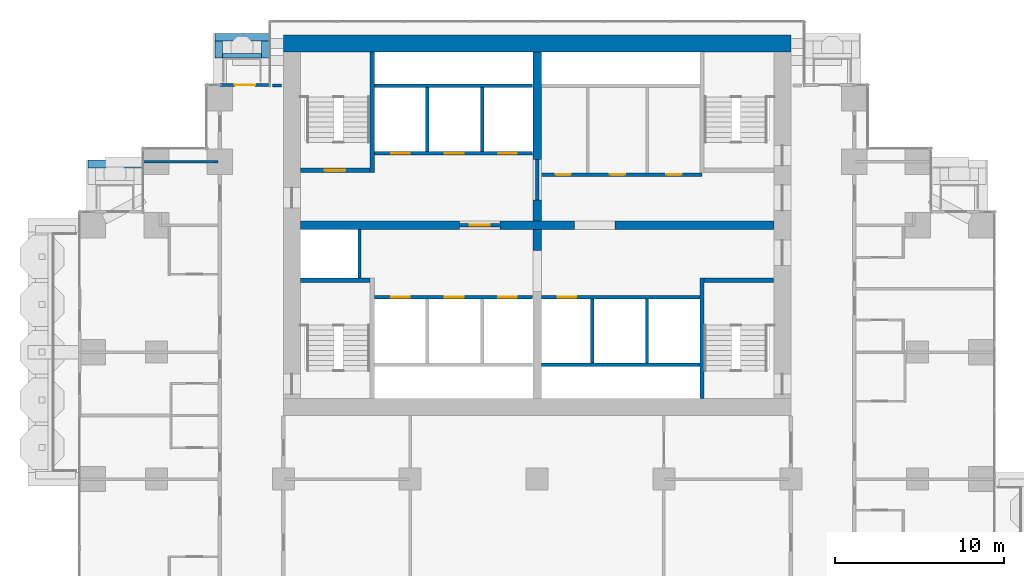
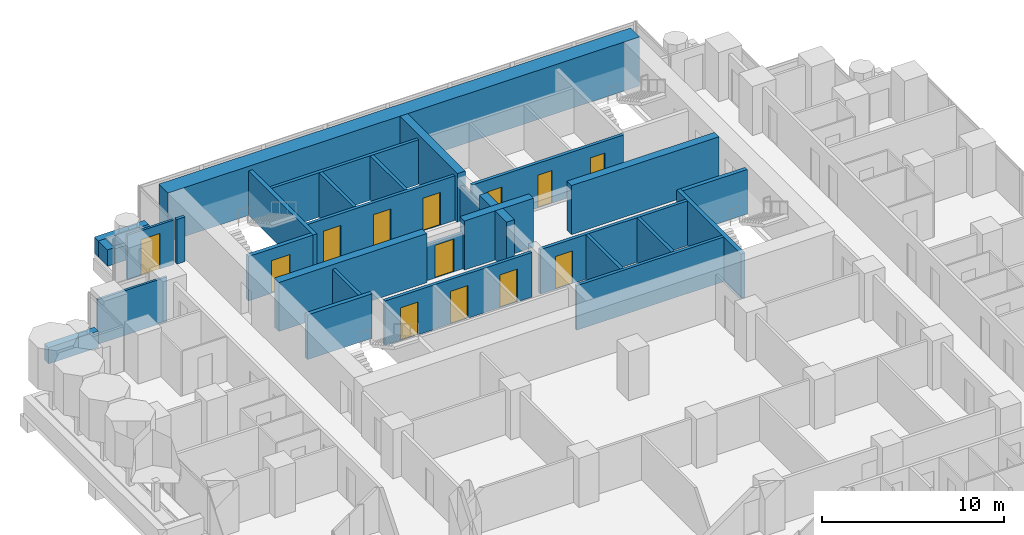
# One storey, part 14 of 19: 33 walls, 13 doors, 13 openings.
"""IFC4 building model written with IfcOpenShell, lengths in metres."""

from ifc_helpers import new_model, si_unit, direction, frame, frame_2d, origin, place, context, subcontext, project, spatial, rectangle, extrude, material, layer, layer_set, type_object, element, fill, save


model = new_model("IFC4")

# Units and contexts
model_context = context("Model", 3, precision=1e-05, world=origin(), true_north=direction((0.0, 1.0)))
body_context = subcontext(model_context, "Body", "Model", "MODEL_VIEW")
ifc_project = project(units=[si_unit("LENGTHUNIT", "METRE"), si_unit("AREAUNIT", "SQUARE_METRE"), si_unit("VOLUMEUNIT", "CUBIC_METRE"), si_unit("PLANEANGLEUNIT", "RADIAN"), si_unit("MASSUNIT", "GRAM", prefix="KILO")], contexts=[model_context])

# Site, building, storey
site_placement = place(None, origin())
site = spatial("IfcSite", under=ifc_project, at=site_placement, CompositionType="ELEMENT")
building_placement = place(site_placement, origin())
building = spatial("IfcBuilding", under=site, at=building_placement, Name="Pilkhan Gate Tower", CompositionType="ELEMENT")
storey_placement = place(building_placement, frame((0.0, 0.0, 95.60009765625)))
storey = spatial("IfcBuildingStorey", under=building, at=storey_placement, Name="L23", CompositionType="ELEMENT", Elevation=95.60009765625)

# Walls
ifc_material_1 = material(Name="Concrete C40/50", Category="concrete")
ifc_layer_1 = layer(ifc_material_1, 0.25)
ifc_layer_set_1 = layer_set([ifc_layer_1], Name="Balcony planter BP250")
wall_type_1 = type_object("IfcWallType", Name="Balcony planter BP250", PredefinedType="USERDEFINED", material=ifc_layer_set_1)
wall_1_placement = place(storey_placement, frame((56.39990234375, 92.52490234375, 0.0), z_axis=(0.0, 0.0, 1.0), x_axis=(1.0, 0.0, 0.0)))
element("IfcWall", 1, at=wall_1_placement, inside=storey, type_object=wall_type_1, Name="Balcony planter L23 N", ObjectType="BALCONY PLANTER", PredefinedType="USERDEFINED", context=body_context, shape_type="SweptSolid", body=[
    extrude(rectangle(XDim=2.300048828125, YDim=0.25, at=frame_2d((1.14990234375, 0.0))), origin(), (0.0, 0.0, 1.0), 1.0),
])
ifc_material_2 = material(Name="Board-marked Concrete C40/50", Category="concrete")
ifc_layer_2 = layer(ifc_material_2, 0.449951171875)
ifc_layer_set_2 = layer_set([ifc_layer_2], Name="Balcony planter lip BL450")
wall_type_2 = type_object("IfcWallType", Name="Balcony planter lip BL450", PredefinedType="USERDEFINED", material=ifc_layer_set_2)
wall_2_placement = place(storey_placement, frame((55.949951171875, 93.625, 0.0), z_axis=(0.0, 0.0, 1.0), x_axis=(1.0, 0.0, 0.0)))
element("IfcWall", 2, at=wall_2_placement, inside=storey, type_object=wall_type_2, Name="Balcony planter L23 N", ObjectType="BALCONY PLANTER", PredefinedType="USERDEFINED", context=body_context, shape_type="SweptSolid", body=[
    extrude(rectangle(XDim=3.199951171875, YDim=0.449951171875, at=frame_2d((1.60009765625, 0.0))), origin(), (0.0, 0.0, 1.0), 1.099853515625),
])
for number, where, z_axis, x_axis, name in (
    (3, (56.175048828125, 92.39990234375, 0.0), (0.0, 0.0, 1.0), (0.0, 1.0, 0.0), "Balcony planter L23 N"),
    (4, (58.925048828125, 92.39990234375, 0.0), (0.0, 0.0, 1.0), (0.0, 1.0, 0.0), "Balcony planter L23 N"),
):
    element("IfcWall", number, at=place(storey_placement, frame(where, z_axis=z_axis, x_axis=x_axis)), inside=storey, type_object=wall_type_2, Name=name, ObjectType="BALCONY PLANTER", PredefinedType="USERDEFINED", context=body_context, shape_type="SweptSolid", body=[
        extrude(rectangle(XDim=1.0, YDim=0.449951171875, at=frame_2d((0.5, 0.0))), origin(), (0.0, 0.0, 1.0), 1.099853515625),
    ])
wall_3_placement = place(storey_placement, frame((48.449951171875, 86.125, 0.0), z_axis=(0.0, 0.0, 1.0), x_axis=(1.0, 0.0, 0.0)))
element("IfcWall", 5, at=wall_3_placement, inside=storey, type_object=wall_type_2, Name="Balcony planter L23 N", ObjectType="BALCONY PLANTER", PredefinedType="USERDEFINED", context=body_context, shape_type="SweptSolid", body=[
    extrude(rectangle(XDim=3.179931640625, YDim=0.449951171875, at=frame_2d((1.58984375, 0.0))), origin(), (0.0, 0.0, 1.0), 1.099853515625),
])
ifc_material_3 = material(Name="Concrete C70/85", Category="concrete")
ifc_layer_3 = layer(ifc_material_3, 1.0)
ifc_layer_set_3 = layer_set([ifc_layer_3], Name="Core wall CW1000 C70/85")
wall_type_3 = type_object("IfcWallType", Name="Core wall CW1000 C70/85", PredefinedType="SHEAR", material=ifc_layer_set_3)
wall_4_placement = place(storey_placement, frame((90.0, 93.25, 0.0), z_axis=(0.0, 0.0, 1.0), x_axis=(-1.0, 0.0, 0.0)))
element("IfcWall", 6, at=wall_4_placement, inside=storey, type_object=wall_type_3, Name="Core wall N L23", PredefinedType="SHEAR", context=body_context, shape_type="SweptSolid", body=[
    extrude(rectangle(XDim=30.0, YDim=1.0, at=frame_2d((15.0, 0.0))), origin(), (0.0, 0.0, 1.0), 3.2998046875),
])
ifc_material_4 = material(Name="Dense blockwork", Category="masonry")
ifc_layer_4 = layer(ifc_material_4, 0.199951171875)
ifc_layer_set_4 = layer_set([ifc_layer_4], Name="Corridor wall FW200")
wall_type_4 = type_object("IfcWallType", Name="Corridor wall FW200", PredefinedType="PARTITIONING", material=ifc_layer_set_4)
wall_5_placement = place(storey_placement, frame((59.35498046875, 90.764892578125, 0.0), z_axis=(0.0, 0.0, 1.0), x_axis=(1.0, 0.0, 0.0)))
element("IfcWall", 7, at=wall_5_placement, inside=storey, type_object=wall_type_4, Name="Partition L23", PredefinedType="PARTITIONING", context=body_context, shape_type="SweptSolid", body=[
    extrude(rectangle(XDim=0.52490234375, YDim=0.199951171875, at=frame_2d((0.262451171875, 0.0))), origin(), (0.0, 0.0, 1.0), 3.0),
])

# Wall, opening, door
ifc_material_5 = material(Name="Pale anodised aluminium, clear laminated glazing", Category="aluminium")
ifc_layer_5 = layer(ifc_material_5, 0.14990234375)
ifc_layer_set_5 = layer_set([ifc_layer_5], Name="Facade infill wall IW150")
wall_type_5 = type_object("IfcWallType", Name="Facade infill wall IW150", PredefinedType="SOLIDWALL", material=ifc_layer_set_5)
wall_6_placement = place(storey_placement, frame((56.25, 90.794921875, 0.0), z_axis=(0.0, 0.0, 1.0), x_axis=(1.0, 0.0, 0.0)))
wall_6 = element("IfcWall", 8, at=wall_6_placement, inside=storey, type_object=wall_type_5, Name="Infill wall L23 N", PredefinedType="SOLIDWALL", context=body_context, shape_type="SweptSolid", body=[
    extrude(rectangle(XDim=2.955078125, YDim=0.14990234375, at=frame_2d((1.4775390625, 0.0))), origin(), (0.0, 0.0, 1.0), 3.0),
])
opening_1_placement = place(wall_6_placement, frame((0.87744140625, 0.0, 0.0)))
opening_1 = element("IfcOpeningElement", 9, at=opening_1_placement, cuts=wall_6, Name="Opening D1", PredefinedType="OPENING", context=body_context, shape_type="SweptSolid", body=[
    extrude(rectangle(XDim=1.199951171875, YDim=2.39990234375, at=frame_2d((0.60009765625, 1.199951171875))), frame((0.0, 0.0849609375, 0.0), z_axis=(0.0, -1.0, 0.0), x_axis=(1.0, 0.0, 0.0)), (0.0, 0.0, 1.0), 0.169921875),
])
ifc_material_6 = material(Name="Pale anodised aluminium, clear glazing", Category="aluminium")
door_type_1 = type_object("IfcDoorType", Name="Balcony door D1 1200x2400", OperationType="SINGLE_SWING_LEFT", PredefinedType="DOOR", material=ifc_material_6)
door_1_placement = place(opening_1_placement, origin())
door_1 = element("IfcDoor", 10, at=door_1_placement, inside=storey, type_object=door_type_1, Name="Balcony door L23", OperationType="SINGLE_SWING_LEFT", OverallHeight=2.39990234375, OverallWidth=1.199951171875, PredefinedType="DOOR", context=body_context, shape_type="SweptSolid", body=[
    extrude(rectangle(XDim=1.199951171875, YDim=2.39990234375, at=frame_2d((0.60009765625, 1.199951171875))), frame((0.0, 0.02490234375, 0.0), z_axis=(0.0, -1.0, 0.0), x_axis=(1.0, 0.0, 0.0)), (0.0, 0.0, 1.0), 0.050048828125),
])
fill(opening_1, door_1)

ifc_layer_6 = layer(ifc_material_4, 0.199951171875)
ifc_layer_set_6 = layer_set([ifc_layer_6], Name="Lobby wall LW200")
wall_type_6 = type_object("IfcWallType", Name="Lobby wall LW200", PredefinedType="PARTITIONING", material=ifc_layer_set_6)
wall_7_placement = place(storey_placement, frame((70.409912109375, 82.5, 0.0), z_axis=(0.0, 0.0, 1.0), x_axis=(1.0, 0.0, 0.0)))
wall_7 = element("IfcWall", 11, at=wall_7_placement, inside=storey, type_object=wall_type_6, Name="Partition L23", PredefinedType="PARTITIONING", context=body_context, shape_type="SweptSolid", body=[
    extrude(rectangle(XDim=2.380126953125, YDim=0.199951171875, at=frame_2d((1.18994140625, 0.0))), origin(), (0.0, 0.0, 1.0), 2.39990234375),
])
opening_2_placement = place(wall_7_placement, frame((0.60009765625, 0.0, 0.0)))
opening_2 = element("IfcOpeningElement", 12, at=opening_2_placement, cuts=wall_7, Name="Opening L23-01", PredefinedType="OPENING", context=body_context, shape_type="SweptSolid", body=[
    extrude(rectangle(XDim=1.199951171875, YDim=2.199951171875, at=frame_2d((0.60009765625, 1.10009765625))), frame((0.0, 0.10986328125, 0.0), z_axis=(0.0, -1.0, 0.0), x_axis=(1.0, 0.0, 0.0)), (0.0, 0.0, 1.0), 0.219970703125),
])
ifc_material_7 = material(Name="Steel door, 120 minute fire resisting, self-closing", Category="steel")
door_type_2 = type_object("IfcDoorType", Name="Firefighting lobby door D10 1200x2200", OperationType="SINGLE_SWING_LEFT", PredefinedType="DOOR", material=ifc_material_7)
door_2_placement = place(opening_2_placement, origin())
door_2 = element("IfcDoor", 13, at=door_2_placement, inside=storey, type_object=door_type_2, Name="Firefighting lobby door", OperationType="SINGLE_SWING_LEFT", OverallHeight=2.199951171875, OverallWidth=1.199951171875, PredefinedType="DOOR", context=body_context, shape_type="SweptSolid", body=[
    extrude(rectangle(XDim=1.199951171875, YDim=2.199951171875, at=frame_2d((0.60009765625, 1.10009765625))), frame((0.0, 0.02490234375, 0.0), z_axis=(0.0, -1.0, 0.0), x_axis=(1.0, 0.0, 0.0)), (0.0, 0.0, 1.0), 0.050048828125),
])
fill(opening_2, door_2)

# Wall, openings, doors
wall_8_placement = place(storey_placement, frame((75.10009765625, 85.5, 0.0), z_axis=(0.0, 0.0, 1.0), x_axis=(1.0, 0.0, 0.0)))
wall_8 = element("IfcWall", 14, at=wall_8_placement, inside=storey, type_object=wall_type_6, Name="Partition L23", PredefinedType="PARTITIONING", context=body_context, shape_type="SweptSolid", body=[
    extrude(rectangle(XDim=9.64990234375, YDim=0.199951171875, at=frame_2d((4.824951171875, 0.0))), origin(), (0.0, 0.0, 1.0), 3.0),
])
opening_3_placement = place(wall_8_placement, frame((1.0, 0.0, 0.0)))
opening_3 = element("IfcOpeningElement", 15, at=opening_3_placement, cuts=wall_8, Name="Opening L23-53", PredefinedType="OPENING", context=body_context, shape_type="SweptSolid", body=[
    extrude(rectangle(XDim=0.89990234375, YDim=2.199951171875, at=frame_2d((0.449951171875, 1.10009765625))), frame((0.0, 0.10986328125, 0.0), z_axis=(0.0, -1.0, 0.0), x_axis=(1.0, 0.0, 0.0)), (0.0, 0.0, 1.0), 0.219970703125),
])
opening_4_placement = place(wall_8_placement, frame((4.199951171875, 0.0, 0.0)))
opening_4 = element("IfcOpeningElement", 16, at=opening_4_placement, cuts=wall_8, Name="Opening L23-54", PredefinedType="OPENING", context=body_context, shape_type="SweptSolid", body=[
    extrude(rectangle(XDim=0.89990234375, YDim=2.199951171875, at=frame_2d((0.449951171875, 1.10009765625))), frame((0.0, 0.10986328125, 0.0), z_axis=(0.0, -1.0, 0.0), x_axis=(1.0, 0.0, 0.0)), (0.0, 0.0, 1.0), 0.219970703125),
])
opening_5_placement = place(wall_8_placement, frame((7.550048828125, 0.0, 0.0)))
opening_5 = element("IfcOpeningElement", 17, at=opening_5_placement, cuts=wall_8, Name="Opening L23-55", PredefinedType="OPENING", context=body_context, shape_type="SweptSolid", body=[
    extrude(rectangle(XDim=0.89990234375, YDim=2.199951171875, at=frame_2d((0.449951171875, 1.10009765625))), frame((0.0, 0.10986328125, 0.0), z_axis=(0.0, -1.0, 0.0), x_axis=(1.0, 0.0, 0.0)), (0.0, 0.0, 1.0), 0.219970703125),
])
ifc_material_8 = material(Name="Timber flush door, 60 minute fire resisting, self-closing", Category="wood")
door_type_3 = type_object("IfcDoorType", Name="Store door D05 900x2200", OperationType="SINGLE_SWING_LEFT", PredefinedType="DOOR", material=ifc_material_8)
door_3_placement = place(opening_4_placement, origin())
door_3 = element("IfcDoor", 18, at=door_3_placement, inside=storey, type_object=door_type_3, Name="Store door", OperationType="SINGLE_SWING_RIGHT", OverallHeight=2.199951171875, OverallWidth=0.89990234375, PredefinedType="DOOR", context=body_context, shape_type="SweptSolid", body=[
    extrude(rectangle(XDim=0.89990234375, YDim=2.199951171875, at=frame_2d((0.449951171875, 1.10009765625))), frame((0.0, 0.02490234375, 0.0), z_axis=(0.0, -1.0, 0.0), x_axis=(1.0, 0.0, 0.0)), (0.0, 0.0, 1.0), 0.050048828125),
])
fill(opening_4, door_3)
door_4_placement = place(opening_5_placement, origin())
door_4 = element("IfcDoor", 19, at=door_4_placement, inside=storey, type_object=door_type_3, Name="Store door", OperationType="SINGLE_SWING_LEFT", OverallHeight=2.199951171875, OverallWidth=0.89990234375, PredefinedType="DOOR", context=body_context, shape_type="SweptSolid", body=[
    extrude(rectangle(XDim=0.89990234375, YDim=2.199951171875, at=frame_2d((0.449951171875, 1.10009765625))), frame((0.0, 0.02490234375, 0.0), z_axis=(0.0, -1.0, 0.0), x_axis=(1.0, 0.0, 0.0)), (0.0, 0.0, 1.0), 0.050048828125),
])
fill(opening_5, door_4)
ifc_material_9 = material(Name="Timber flush door, 30 minute fire resisting", Category="wood")
door_type_4 = type_object("IfcDoorType", Name="Toilet door D06 900x2200", OperationType="SINGLE_SWING_LEFT", PredefinedType="DOOR", material=ifc_material_9)
door_5_placement = place(opening_3_placement, origin())
door_5 = element("IfcDoor", 20, at=door_5_placement, inside=storey, type_object=door_type_4, Name="Toilet door", OperationType="SINGLE_SWING_LEFT", OverallHeight=2.199951171875, OverallWidth=0.89990234375, PredefinedType="DOOR", context=body_context, shape_type="SweptSolid", body=[
    extrude(rectangle(XDim=0.89990234375, YDim=2.199951171875, at=frame_2d((0.449951171875, 1.10009765625))), frame((0.0, 0.02490234375, 0.0), z_axis=(0.0, -1.0, 0.0), x_axis=(1.0, 0.0, 0.0)), (0.0, 0.0, 1.0), 0.050048828125),
])
fill(opening_3, door_5)

# Walls
wall_9_placement = place(storey_placement, frame((75.0, 84.010009765625, 0.0), z_axis=(0.0, 0.0, 1.0), x_axis=(0.0, 1.0, 0.0)))
element("IfcWall", 21, at=wall_9_placement, inside=storey, type_object=wall_type_6, Name="Partition L23", PredefinedType="PARTITIONING", context=body_context, shape_type="SweptSolid", body=[
    extrude(rectangle(XDim=2.3798828125, YDim=0.199951171875, at=frame_2d((1.18994140625, 0.0))), origin(), (0.0, 0.0, 1.0), 2.39990234375),
])
ifc_material_10 = material(Name="Blockwork partition, plastered both sides", Category="masonry")
ifc_layer_7 = layer(ifc_material_10, 0.14990234375)
ifc_layer_set_7 = layer_set([ifc_layer_7], Name="Partition PW150")
wall_type_7 = type_object("IfcWallType", Name="Partition PW150", PredefinedType="PARTITIONING", material=ifc_layer_set_7)
wall_10_placement = place(storey_placement, frame((51.735107421875, 86.25, 0.0), z_axis=(0.0, 0.0, 1.0), x_axis=(1.0, 0.0, 0.0)))
element("IfcWall", 22, at=wall_10_placement, inside=storey, type_object=wall_type_7, Name="Partition L23", PredefinedType="PARTITIONING", context=body_context, shape_type="SweptSolid", body=[
    extrude(rectangle(XDim=4.414794921875, YDim=0.14990234375, at=frame_2d((2.20751953125, 0.0))), origin(), (0.0, 0.0, 1.0), 3.0),
])
ifc_material_11 = material(Name="Reinforced blockwork shaft wall, 120 minute fire resisting", Category="masonry")
ifc_layer_8 = layer(ifc_material_11, 0.199951171875)
ifc_layer_set_8 = layer_set([ifc_layer_8], Name="Shaft wall SW200")
wall_type_8 = type_object("IfcWallType", Name="Shaft wall SW200", PredefinedType="PARTITIONING", material=ifc_layer_set_8)
wall_11_placement = place(storey_placement, frame((75.260009765625, 74.25, 0.0), z_axis=(0.0, 0.0, 1.0), x_axis=(1.0, 0.0, 0.0)))
element("IfcWall", 23, at=wall_11_placement, inside=storey, type_object=wall_type_8, Name="Partition L23", PredefinedType="PARTITIONING", context=body_context, shape_type="SweptSolid", body=[
    extrude(rectangle(XDim=9.364990234375, YDim=0.199951171875, at=frame_2d((4.6826171875, 0.0))), origin(), (0.0, 0.0, 1.0), 3.0),
])

# Wall, openings, doors
wall_12_placement = place(storey_placement, frame((65.375, 78.25, 0.0), z_axis=(0.0, 0.0, 1.0), x_axis=(1.0, 0.0, 0.0)))
wall_12 = element("IfcWall", 24, at=wall_12_placement, inside=storey, type_object=wall_type_8, Name="Partition L23", PredefinedType="PARTITIONING", context=body_context, shape_type="SweptSolid", body=[
    extrude(rectangle(XDim=9.364990234375, YDim=0.199951171875, at=frame_2d((4.6826171875, 0.0))), origin(), (0.0, 0.0, 1.0), 3.0),
])
opening_6_placement = place(wall_12_placement, frame((1.0, 0.0, 0.0)))
opening_6 = element("IfcOpeningElement", 25, at=opening_6_placement, cuts=wall_12, Name="Opening LD", PredefinedType="OPENING", context=body_context, shape_type="SweptSolid", body=[
    extrude(rectangle(XDim=1.10009765625, YDim=2.199951171875, at=frame_2d((0.550048828125, 1.10009765625))), frame((0.0, 0.10986328125, 0.0), z_axis=(0.0, -1.0, 0.0), x_axis=(1.0, 0.0, 0.0)), (0.0, 0.0, 1.0), 0.219970703125),
])
opening_7_placement = place(wall_12_placement, frame((4.175048828125, 0.0, 0.0)))
opening_7 = element("IfcOpeningElement", 26, at=opening_7_placement, cuts=wall_12, Name="Opening LD", PredefinedType="OPENING", context=body_context, shape_type="SweptSolid", body=[
    extrude(rectangle(XDim=1.10009765625, YDim=2.199951171875, at=frame_2d((0.550048828125, 1.10009765625))), frame((0.0, 0.10986328125, 0.0), z_axis=(0.0, -1.0, 0.0), x_axis=(1.0, 0.0, 0.0)), (0.0, 0.0, 1.0), 0.219970703125),
])
opening_8_placement = place(wall_12_placement, frame((7.324951171875, 0.0, 0.0)))
opening_8 = element("IfcOpeningElement", 27, at=opening_8_placement, cuts=wall_12, Name="Opening LD", PredefinedType="OPENING", context=body_context, shape_type="SweptSolid", body=[
    extrude(rectangle(XDim=1.10009765625, YDim=2.199951171875, at=frame_2d((0.550048828125, 1.10009765625))), frame((0.0, 0.10986328125, 0.0), z_axis=(0.0, -1.0, 0.0), x_axis=(1.0, 0.0, 0.0)), (0.0, 0.0, 1.0), 0.219970703125),
])
ifc_material_12 = material(Name="Stainless steel centre-opening landing door, 120 minute fire resisting", Category="steel")
door_type_5 = type_object("IfcDoorType", Name="Lift landing door LD 1100x2200", OperationType="DOUBLE_DOOR_SLIDING", PredefinedType="DOOR", material=ifc_material_12)
door_6_placement = place(opening_6_placement, origin())
door_6 = element("IfcDoor", 28, at=door_6_placement, inside=storey, type_object=door_type_5, Name="Landing door LR1", OperationType="DOUBLE_DOOR_SLIDING", OverallHeight=2.199951171875, OverallWidth=1.10009765625, PredefinedType="DOOR", context=body_context, shape_type="SweptSolid", body=[
    extrude(rectangle(XDim=1.10009765625, YDim=2.199951171875, at=frame_2d((0.550048828125, 1.10009765625))), frame((0.0, 0.02490234375, 0.0), z_axis=(0.0, -1.0, 0.0), x_axis=(1.0, 0.0, 0.0)), (0.0, 0.0, 1.0), 0.050048828125),
])
fill(opening_6, door_6)
door_7_placement = place(opening_7_placement, origin())
door_7 = element("IfcDoor", 29, at=door_7_placement, inside=storey, type_object=door_type_5, Name="Landing door LR2", OperationType="DOUBLE_DOOR_SLIDING", OverallHeight=2.199951171875, OverallWidth=1.10009765625, PredefinedType="DOOR", context=body_context, shape_type="SweptSolid", body=[
    extrude(rectangle(XDim=1.10009765625, YDim=2.199951171875, at=frame_2d((0.550048828125, 1.10009765625))), frame((0.0, 0.02490234375, 0.0), z_axis=(0.0, -1.0, 0.0), x_axis=(1.0, 0.0, 0.0)), (0.0, 0.0, 1.0), 0.050048828125),
])
fill(opening_7, door_7)
door_8_placement = place(opening_8_placement, origin())
door_8 = element("IfcDoor", 30, at=door_8_placement, inside=storey, type_object=door_type_5, Name="Landing door LR3", OperationType="DOUBLE_DOOR_SLIDING", OverallHeight=2.199951171875, OverallWidth=1.10009765625, PredefinedType="DOOR", context=body_context, shape_type="SweptSolid", body=[
    extrude(rectangle(XDim=1.10009765625, YDim=2.199951171875, at=frame_2d((0.550048828125, 1.10009765625))), frame((0.0, 0.02490234375, 0.0), z_axis=(0.0, -1.0, 0.0), x_axis=(1.0, 0.0, 0.0)), (0.0, 0.0, 1.0), 0.050048828125),
])
fill(opening_8, door_8)

# Wall, opening, door
wall_13_placement = place(storey_placement, frame((75.260009765625, 78.25, 0.0), z_axis=(0.0, 0.0, 1.0), x_axis=(1.0, 0.0, 0.0)))
wall_13 = element("IfcWall", 31, at=wall_13_placement, inside=storey, type_object=wall_type_8, Name="Partition L23", PredefinedType="PARTITIONING", context=body_context, shape_type="SweptSolid", body=[
    extrude(rectangle(XDim=9.364990234375, YDim=0.199951171875, at=frame_2d((4.6826171875, 0.0))), origin(), (0.0, 0.0, 1.0), 3.0),
])
opening_9_placement = place(wall_13_placement, frame((0.949951171875, 0.0, 0.0)))
opening_9 = element("IfcOpeningElement", 32, at=opening_9_placement, cuts=wall_13, Name="Opening LD", PredefinedType="OPENING", context=body_context, shape_type="SweptSolid", body=[
    extrude(rectangle(XDim=1.10009765625, YDim=2.199951171875, at=frame_2d((0.550048828125, 1.10009765625))), frame((0.0, 0.10986328125, 0.0), z_axis=(0.0, -1.0, 0.0), x_axis=(1.0, 0.0, 0.0)), (0.0, 0.0, 1.0), 0.219970703125),
])
door_9_placement = place(opening_9_placement, origin())
door_9 = element("IfcDoor", 33, at=door_9_placement, inside=storey, type_object=door_type_5, Name="Landing door LR4", OperationType="DOUBLE_DOOR_SLIDING", OverallHeight=2.199951171875, OverallWidth=1.10009765625, PredefinedType="DOOR", context=body_context, shape_type="SweptSolid", body=[
    extrude(rectangle(XDim=1.10009765625, YDim=2.199951171875, at=frame_2d((0.550048828125, 1.10009765625))), frame((0.0, 0.02490234375, 0.0), z_axis=(0.0, -1.0, 0.0), x_axis=(1.0, 0.0, 0.0)), (0.0, 0.0, 1.0), 0.050048828125),
])
fill(opening_9, door_9)

# Wall, openings, doors
wall_14_placement = place(storey_placement, frame((65.375, 86.75, 0.0), z_axis=(0.0, 0.0, 1.0), x_axis=(1.0, 0.0, 0.0)))
wall_14 = element("IfcWall", 34, at=wall_14_placement, inside=storey, type_object=wall_type_8, Name="Partition L23", PredefinedType="PARTITIONING", context=body_context, shape_type="SweptSolid", body=[
    extrude(rectangle(XDim=9.364990234375, YDim=0.199951171875, at=frame_2d((4.6826171875, 0.0))), origin(), (0.0, 0.0, 1.0), 3.0),
])
opening_10_placement = place(wall_14_placement, frame((1.0, 0.0, 0.0)))
opening_10 = element("IfcOpeningElement", 35, at=opening_10_placement, cuts=wall_14, Name="Opening LD", PredefinedType="OPENING", context=body_context, shape_type="SweptSolid", body=[
    extrude(rectangle(XDim=1.10009765625, YDim=2.199951171875, at=frame_2d((0.550048828125, 1.10009765625))), frame((0.0, 0.10986328125, 0.0), z_axis=(0.0, -1.0, 0.0), x_axis=(1.0, 0.0, 0.0)), (0.0, 0.0, 1.0), 0.219970703125),
])
opening_11_placement = place(wall_14_placement, frame((4.175048828125, 0.0, 0.0)))
opening_11 = element("IfcOpeningElement", 36, at=opening_11_placement, cuts=wall_14, Name="Opening LD", PredefinedType="OPENING", context=body_context, shape_type="SweptSolid", body=[
    extrude(rectangle(XDim=1.10009765625, YDim=2.199951171875, at=frame_2d((0.550048828125, 1.10009765625))), frame((0.0, 0.10986328125, 0.0), z_axis=(0.0, -1.0, 0.0), x_axis=(1.0, 0.0, 0.0)), (0.0, 0.0, 1.0), 0.219970703125),
])
opening_12_placement = place(wall_14_placement, frame((7.324951171875, 0.0, 0.0)))
opening_12 = element("IfcOpeningElement", 37, at=opening_12_placement, cuts=wall_14, Name="Opening LD", PredefinedType="OPENING", context=body_context, shape_type="SweptSolid", body=[
    extrude(rectangle(XDim=1.10009765625, YDim=2.199951171875, at=frame_2d((0.550048828125, 1.10009765625))), frame((0.0, 0.10986328125, 0.0), z_axis=(0.0, -1.0, 0.0), x_axis=(1.0, 0.0, 0.0)), (0.0, 0.0, 1.0), 0.219970703125),
])
door_10_placement = place(opening_10_placement, origin())
door_10 = element("IfcDoor", 38, at=door_10_placement, inside=storey, type_object=door_type_5, Name="Landing door FF1", OperationType="DOUBLE_DOOR_SLIDING", OverallHeight=2.199951171875, OverallWidth=1.10009765625, PredefinedType="DOOR", context=body_context, shape_type="SweptSolid", body=[
    extrude(rectangle(XDim=1.10009765625, YDim=2.199951171875, at=frame_2d((0.550048828125, 1.10009765625))), frame((0.0, 0.02490234375, 0.0), z_axis=(0.0, -1.0, 0.0), x_axis=(1.0, 0.0, 0.0)), (0.0, 0.0, 1.0), 0.050048828125),
])
fill(opening_10, door_10)
door_11_placement = place(opening_11_placement, origin())
door_11 = element("IfcDoor", 39, at=door_11_placement, inside=storey, type_object=door_type_5, Name="Landing door FF2", OperationType="DOUBLE_DOOR_SLIDING", OverallHeight=2.199951171875, OverallWidth=1.10009765625, PredefinedType="DOOR", context=body_context, shape_type="SweptSolid", body=[
    extrude(rectangle(XDim=1.10009765625, YDim=2.199951171875, at=frame_2d((0.550048828125, 1.10009765625))), frame((0.0, 0.02490234375, 0.0), z_axis=(0.0, -1.0, 0.0), x_axis=(1.0, 0.0, 0.0)), (0.0, 0.0, 1.0), 0.050048828125),
])
fill(opening_11, door_11)
door_12_placement = place(opening_12_placement, origin())
door_12 = element("IfcDoor", 40, at=door_12_placement, inside=storey, type_object=door_type_5, Name="Landing door SV1", OperationType="DOUBLE_DOOR_SLIDING", OverallHeight=2.199951171875, OverallWidth=1.10009765625, PredefinedType="DOOR", context=body_context, shape_type="SweptSolid", body=[
    extrude(rectangle(XDim=1.10009765625, YDim=2.199951171875, at=frame_2d((0.550048828125, 1.10009765625))), frame((0.0, 0.02490234375, 0.0), z_axis=(0.0, -1.0, 0.0), x_axis=(1.0, 0.0, 0.0)), (0.0, 0.0, 1.0), 0.050048828125),
])
fill(opening_12, door_12)

# Walls
wall_15_placement = place(storey_placement, frame((65.375, 90.75, 0.0), z_axis=(0.0, 0.0, 1.0), x_axis=(1.0, 0.0, 0.0)))
element("IfcWall", 41, at=wall_15_placement, inside=storey, type_object=wall_type_8, Name="Partition L23", PredefinedType="PARTITIONING", context=body_context, shape_type="SweptSolid", body=[
    extrude(rectangle(XDim=9.364990234375, YDim=0.199951171875, at=frame_2d((4.6826171875, 0.0))), origin(), (0.0, 0.0, 1.0), 3.0),
])
wall_16_placement = place(storey_placement, frame((64.5, 79.375, 0.0), z_axis=(0.0, 0.0, 1.0), x_axis=(0.0, 1.0, 0.0)))
element("IfcWall", 42, at=wall_16_placement, inside=storey, type_object=wall_type_8, Name="Partition L23", PredefinedType="PARTITIONING", context=body_context, shape_type="SweptSolid", body=[
    extrude(rectangle(XDim=2.864990234375, YDim=0.199951171875, at=frame_2d((1.4326171875, 0.0))), origin(), (0.0, 0.0, 1.0), 3.0),
])
for number, where, z_axis, x_axis, name in (
    (43, (68.5, 86.85009765625, 0.0), (0.0, 0.0, 1.0), (0.0, 1.0, 0.0), "Partition L23"),
    (44, (71.75, 86.85009765625, 0.0), (0.0, 0.0, 1.0), (0.0, 1.0, 0.0), "Partition L23"),
    (45, (78.25, 74.35009765625, 0.0), (0.0, 0.0, 1.0), (0.0, 1.0, 0.0), "Partition L23"),
    (46, (81.5, 74.35009765625, 0.0), (0.0, 0.0, 1.0), (0.0, 1.0, 0.0), "Partition L23"),
):
    element("IfcWall", number, at=place(storey_placement, frame(where, z_axis=z_axis, x_axis=x_axis)), inside=storey, type_object=wall_type_8, Name=name, PredefinedType="PARTITIONING", context=body_context, shape_type="SweptSolid", body=[
        extrude(rectangle(XDim=3.7998046875, YDim=0.199951171875, at=frame_2d((1.89990234375, 0.0))), origin(), (0.0, 0.0, 1.0), 3.0),
    ])
ifc_layer_9 = layer(ifc_material_3, 0.5)
ifc_layer_set_9 = layer_set([ifc_layer_9], Name="Spine wall SW500 C70/85")
wall_type_9 = type_object("IfcWallType", Name="Spine wall SW500 C70/85", PredefinedType="SHEAR", material=ifc_layer_set_9)
wall_17_placement = place(storey_placement, frame((61.0, 82.5, 0.0), z_axis=(0.0, 0.0, 1.0), x_axis=(1.0, 0.0, 0.0)))
element("IfcWall", 47, at=wall_17_placement, inside=storey, type_object=wall_type_9, Name="Spine wall SP-EW1 L23", PredefinedType="SHEAR", context=body_context, shape_type="SweptSolid", body=[
    extrude(rectangle(XDim=9.39990234375, YDim=0.5, at=frame_2d((4.699951171875, 0.0))), origin(), (0.0, 0.0, 1.0), 3.2998046875),
])
wall_18_placement = place(storey_placement, frame((72.800048828125, 82.5, 0.0), z_axis=(0.0, 0.0, 1.0), x_axis=(1.0, 0.0, 0.0)))
element("IfcWall", 48, at=wall_18_placement, inside=storey, type_object=wall_type_9, Name="Spine wall SP-EW2 L23", PredefinedType="SHEAR", context=body_context, shape_type="SweptSolid", body=[
    extrude(rectangle(XDim=4.39990234375, YDim=0.5, at=frame_2d((2.199951171875, 0.0))), origin(), (0.0, 0.0, 1.0), 3.2998046875),
])
wall_19_placement = place(storey_placement, frame((79.60009765625, 82.5, 0.0), z_axis=(0.0, 0.0, 1.0), x_axis=(1.0, 0.0, 0.0)))
element("IfcWall", 49, at=wall_19_placement, inside=storey, type_object=wall_type_9, Name="Spine wall SP-EW3 L23", PredefinedType="SHEAR", context=body_context, shape_type="SweptSolid", body=[
    extrude(rectangle(XDim=9.39990234375, YDim=0.5, at=frame_2d((4.699951171875, 0.0))), origin(), (0.0, 0.0, 1.0), 3.2998046875),
])
for number, where, z_axis, x_axis, name in (
    (50, (75.0, 81.0, 0.0), (0.0, 0.0, 1.0), (0.0, 1.0, 0.0), "Spine wall SP-NS-S2 L23"),
    (51, (75.0, 82.75, 0.0), (0.0, 0.0, 1.0), (0.0, 1.0, 0.0), "Spine wall SP-NS-N1 L23"),
):
    element("IfcWall", number, at=place(storey_placement, frame(where, z_axis=z_axis, x_axis=x_axis)), inside=storey, type_object=wall_type_9, Name=name, PredefinedType="SHEAR", context=body_context, shape_type="SweptSolid", body=[
        extrude(rectangle(XDim=1.25, YDim=0.5, at=frame_2d((0.625, 0.0))), origin(), (0.0, 0.0, 1.0), 3.2998046875),
    ])
wall_20_placement = place(storey_placement, frame((75.0, 86.39990234375, 0.0), z_axis=(0.0, 0.0, 1.0), x_axis=(0.0, 1.0, 0.0)))
element("IfcWall", 52, at=wall_20_placement, inside=storey, type_object=wall_type_9, Name="Spine wall SP-NS-N2 L23", PredefinedType="SHEAR", context=body_context, shape_type="SweptSolid", body=[
    extrude(rectangle(XDim=6.35009765625, YDim=0.5, at=frame_2d((3.175048828125, 0.0))), origin(), (0.0, 0.0, 1.0), 3.2998046875),
])
ifc_material_13 = material(Name="Reinforced blockwork, 120 minute fire resisting", Category="masonry")
ifc_layer_10 = layer(ifc_material_13, 0.25)
ifc_layer_set_10 = layer_set([ifc_layer_10], Name="Stair enclosure wall SE250")
wall_type_10 = type_object("IfcWallType", Name="Stair enclosure wall SE250", PredefinedType="PARTITIONING", material=ifc_layer_set_10)
for number, where, z_axis, x_axis, name in (
    (53, (61.010009765625, 79.25, 0.0), (0.0, 0.0, 1.0), (1.0, 0.0, 0.0), "Partition L23"),
    (54, (84.875, 79.25, 0.0), (0.0, 0.0, 1.0), (1.0, 0.0, 0.0), "Partition L23"),
):
    element("IfcWall", number, at=place(storey_placement, frame(where, z_axis=z_axis, x_axis=x_axis)), inside=storey, type_object=wall_type_10, Name=name, PredefinedType="PARTITIONING", context=body_context, shape_type="SweptSolid", body=[
        extrude(rectangle(XDim=4.114990234375, YDim=0.25, at=frame_2d((2.0576171875, 0.0))), origin(), (0.0, 0.0, 1.0), 3.0),
    ])

# Wall, opening, door
wall_21_placement = place(storey_placement, frame((61.010009765625, 85.75, 0.0), z_axis=(0.0, 0.0, 1.0), x_axis=(1.0, 0.0, 0.0)))
wall_21 = element("IfcWall", 55, at=wall_21_placement, inside=storey, type_object=wall_type_10, Name="Partition L23", PredefinedType="PARTITIONING", context=body_context, shape_type="SweptSolid", body=[
    extrude(rectangle(XDim=4.114990234375, YDim=0.25, at=frame_2d((2.0576171875, 0.0))), origin(), (0.0, 0.0, 1.0), 3.0),
])
opening_13_placement = place(wall_21_placement, frame((1.449951171875, 0.0, 0.0)))
opening_13 = element("IfcOpeningElement", 56, at=opening_13_placement, cuts=wall_21, Name="Opening L23-02", PredefinedType="OPENING", context=body_context, shape_type="SweptSolid", body=[
    extrude(rectangle(XDim=1.199951171875, YDim=2.199951171875, at=frame_2d((0.60009765625, 1.10009765625))), frame((0.0, 0.135009765625, 0.0), z_axis=(0.0, -1.0, 0.0), x_axis=(1.0, 0.0, 0.0)), (0.0, 0.0, 1.0), 0.27001953125),
])
ifc_material_14 = material(Name="Steel door, 120 minute fire resisting, panic bar", Category="steel")
door_type_6 = type_object("IfcDoorType", Name="Stair door D11 1200x2200", OperationType="SINGLE_SWING_LEFT", PredefinedType="DOOR", material=ifc_material_14)
door_13_placement = place(opening_13_placement, origin())
door_13 = element("IfcDoor", 57, at=door_13_placement, inside=storey, type_object=door_type_6, Name="Stair ST3 lobby door", OperationType="SINGLE_SWING_LEFT", OverallHeight=2.199951171875, OverallWidth=1.199951171875, PredefinedType="DOOR", context=body_context, shape_type="SweptSolid", body=[
    extrude(rectangle(XDim=1.199951171875, YDim=2.199951171875, at=frame_2d((0.60009765625, 1.10009765625))), frame((0.0, 0.02490234375, 0.0), z_axis=(0.0, -1.0, 0.0), x_axis=(1.0, 0.0, 0.0)), (0.0, 0.0, 1.0), 0.050048828125),
])
fill(opening_13, door_13)

# Walls
for number, where, z_axis, x_axis, name in (
    (58, (65.25, 85.625, 0.0), (0.0, 0.0, 1.0), (0.0, 1.0, 0.0), "Partition L23"),
    (59, (84.75, 72.260009765625, 0.0), (0.0, 0.0, 1.0), (0.0, 1.0, 0.0), "Partition L23"),
):
    element("IfcWall", number, at=place(storey_placement, frame(where, z_axis=z_axis, x_axis=x_axis)), inside=storey, type_object=wall_type_10, Name=name, PredefinedType="PARTITIONING", context=body_context, shape_type="SweptSolid", body=[
        extrude(rectangle(XDim=7.114990234375, YDim=0.25, at=frame_2d((3.5576171875, 0.0))), origin(), (0.0, 0.0, 1.0), 3.0),
    ])

save(model, "model.ifc")
